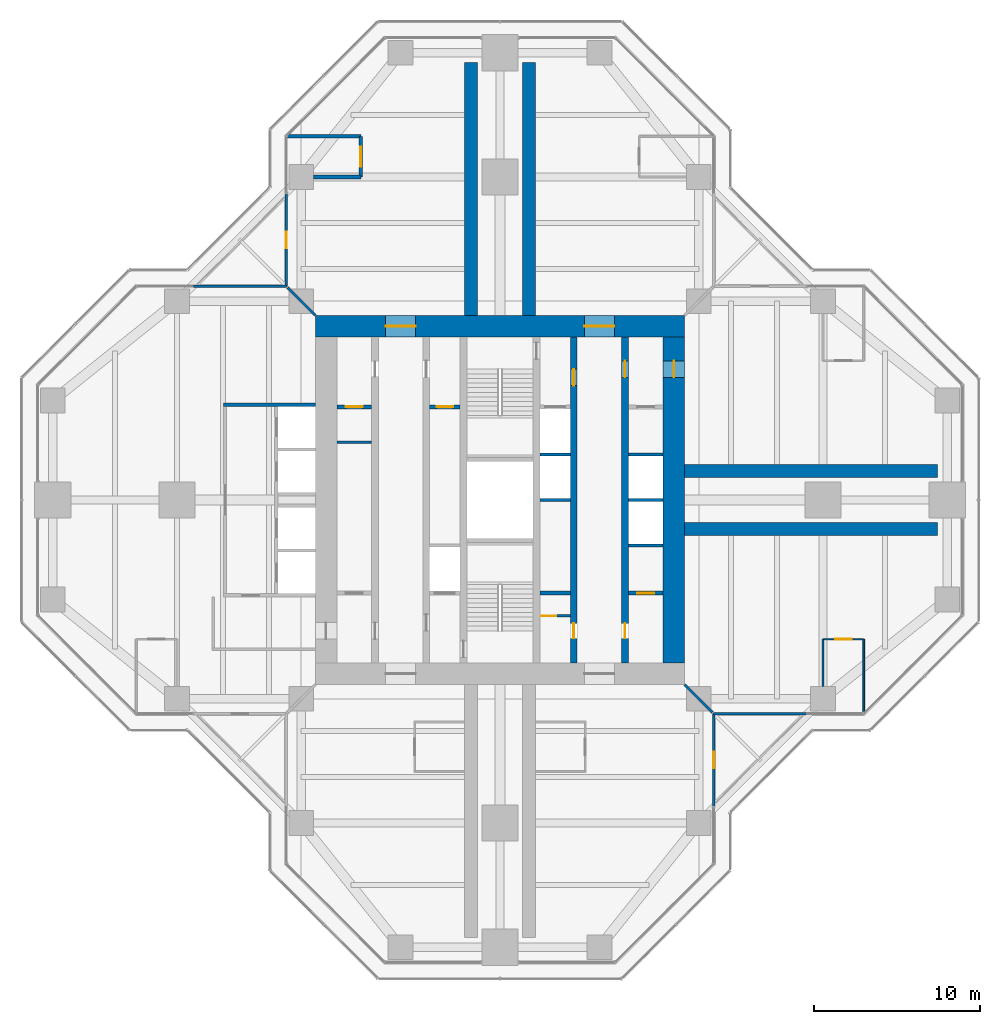
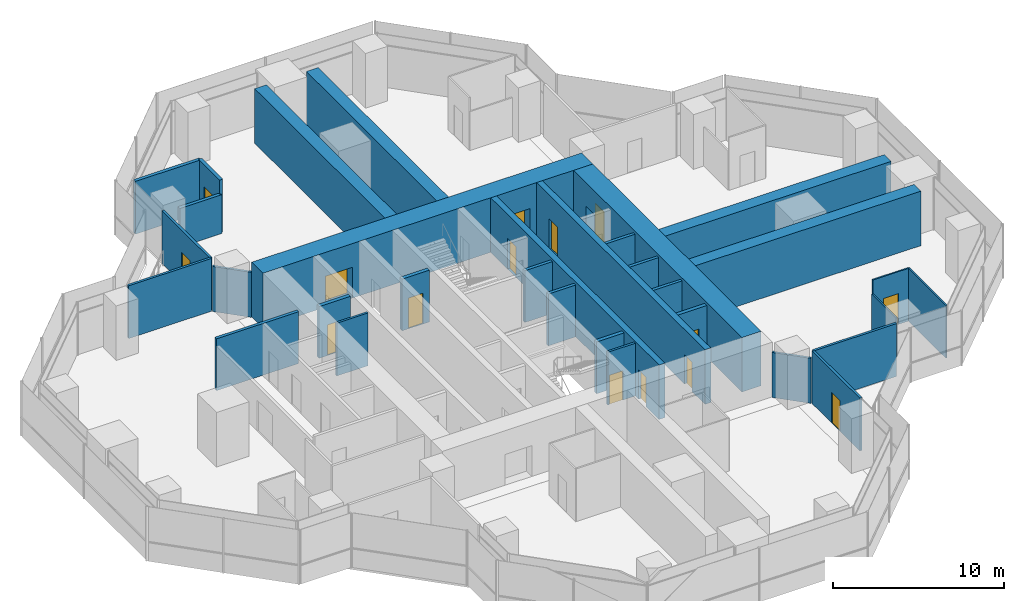
# One storey, part 14 of 17: 32 walls, 15 doors, 15 openings.
"""IFC4 building model written with IfcOpenShell, lengths in metres."""

from ifc_helpers import new_model, si_unit, direction, frame, frame_2d, origin, place, context, subcontext, project, spatial, rectangle, extrude, material, layer, layer_set, type_object, element, fill, save


model = new_model("IFC4")

# Units and contexts
model_context = context("Model", 3, precision=1e-05, world=origin(), true_north=direction((0.0, 1.0)))
body_context = subcontext(model_context, "Body", "Model", "MODEL_VIEW")
ifc_project = project(units=[si_unit("LENGTHUNIT", "METRE"), si_unit("AREAUNIT", "SQUARE_METRE"), si_unit("VOLUMEUNIT", "CUBIC_METRE"), si_unit("PLANEANGLEUNIT", "RADIAN"), si_unit("MASSUNIT", "GRAM", prefix="KILO")], contexts=[model_context])

# Site, building, storey
site_placement = place(None, origin())
site = spatial("IfcSite", under=ifc_project, at=site_placement, CompositionType="ELEMENT")
building_placement = place(site_placement, origin())
building = spatial("IfcBuilding", under=site, at=building_placement, Name="Mizan Broadcast Tower", CompositionType="ELEMENT")
storey_placement = place(building_placement, frame((0.0, 0.0, 255.60009765625)))
storey = spatial("IfcBuildingStorey", under=building, at=storey_placement, Name="L60", CompositionType="ELEMENT", Elevation=255.60009765625)

# Wall, openings, doors
ifc_material_1 = material(Name="Concrete C70/85", Category="concrete")
ifc_layer_1 = layer(ifc_material_1, 0.39990234375)
ifc_layer_set_1 = layer_set([ifc_layer_1], Name="Concrete C70/85")
wall_type_1 = type_object("IfcWallType", Name="CORE INTERNAL WALL 400", PredefinedType="SHEAR", material=ifc_layer_set_1)
wall_1_placement = place(storey_placement, frame((7.550048828125, 9.85009765625, 0.0), z_axis=(0.0, 0.0, 1.0), x_axis=(0.0, -1.0, 0.0)))
wall_1 = element("IfcWall", 1, at=wall_1_placement, inside=storey, type_object=wall_type_1, Name="Core wall CORE/XW1E", PredefinedType="SHEAR", context=body_context, shape_type="SweptSolid", body=[
    extrude(rectangle(XDim=19.7001953125, YDim=0.39990234375, at=frame_2d((9.85009765625, 0.0))), origin(), (0.0, 0.0, 1.0), 3.89990234375),
])
opening_1_placement = place(wall_1_placement, frame((1.449951171875, 0.0, 0.0)))
opening_1 = element("IfcOpeningElement", 2, at=opening_1_placement, cuts=wall_1, Name="Opening D10F", PredefinedType="OPENING", context=body_context, shape_type="SweptSolid", body=[
    extrude(rectangle(XDim=1.0, YDim=2.199951171875, at=frame_2d((0.5, 1.10009765625))), frame((0.0, 0.2099609375, 0.0), z_axis=(0.0, -1.0, 0.0), x_axis=(1.0, 0.0, 0.0)), (0.0, 0.0, 1.0), 0.419921875),
])
opening_2_placement = place(wall_1_placement, frame((17.300048828125, 0.0, 0.0)))
opening_2 = element("IfcOpeningElement", 3, at=opening_2_placement, cuts=wall_1, Name="Opening D09", PredefinedType="OPENING", context=body_context, shape_type="SweptSolid", body=[
    extrude(rectangle(XDim=0.89990234375, YDim=2.10009765625, at=frame_2d((0.449951171875, 1.050048828125))), frame((0.0, 0.2099609375, 0.0), z_axis=(0.0, -1.0, 0.0), x_axis=(1.0, 0.0, 0.0)), (0.0, 0.0, 1.0), 0.419921875),
])
ifc_material_2 = material(Name="Steel door leaf in steel frame", Category="steel")
door_type_1 = type_object("IfcDoorType", Name="FIRE DOOR 1000 FD90", OperationType="SINGLE_SWING_LEFT", PredefinedType="DOOR", material=ifc_material_2)
door_1_placement = place(opening_1_placement, origin())
door_1 = element("IfcDoor", 4, at=door_1_placement, inside=storey, type_object=door_type_1, Name="East core passage door", OperationType="SINGLE_SWING_LEFT", OverallHeight=2.199951171875, OverallWidth=1.0, PredefinedType="DOOR", context=body_context, shape_type="SweptSolid", body=[
    extrude(rectangle(XDim=1.0, YDim=2.199951171875, at=frame_2d((0.5, 1.10009765625))), frame((0.0, 0.02490234375, 0.0), z_axis=(0.0, -1.0, 0.0), x_axis=(1.0, 0.0, 0.0)), (0.0, 0.0, 1.0), 0.050048828125),
])
fill(opening_1, door_1)
ifc_material_3 = material(Name="Timber door leaf in aluminium frame", Category="wood")
door_type_2 = type_object("IfcDoorType", Name="TOILET DOOR 900", OperationType="SINGLE_SWING_LEFT", PredefinedType="DOOR", material=ifc_material_3)
door_2_placement = place(opening_2_placement, origin())
door_2 = element("IfcDoor", 5, at=door_2_placement, inside=storey, type_object=door_type_2, Name="Female WC door", OperationType="SINGLE_SWING_RIGHT", OverallHeight=2.10009765625, OverallWidth=0.89990234375, PredefinedType="DOOR", context=body_context, shape_type="SweptSolid", body=[
    extrude(rectangle(XDim=0.89990234375, YDim=2.10009765625, at=frame_2d((0.449951171875, 1.050048828125))), frame((0.0, 0.02490234375, 0.0), z_axis=(0.0, -1.0, 0.0), x_axis=(1.0, 0.0, 0.0)), (0.0, 0.0, 1.0), 0.050048828125),
])
fill(opening_2, door_2)

wall_2_placement = place(storey_placement, frame((4.449951171875, 9.85009765625, 0.0), z_axis=(0.0, 0.0, 1.0), x_axis=(0.0, -1.0, 0.0)))
wall_2 = element("IfcWall", 6, at=wall_2_placement, inside=storey, type_object=wall_type_1, Name="Core wall CORE/XWHE", PredefinedType="SHEAR", context=body_context, shape_type="SweptSolid", body=[
    extrude(rectangle(XDim=19.7001953125, YDim=0.39990234375, at=frame_2d((9.85009765625, 0.0))), origin(), (0.0, 0.0, 1.0), 3.89990234375),
])
opening_3_placement = place(wall_2_placement, frame((1.949951171875, 0.0, 0.0)))
opening_3 = element("IfcOpeningElement", 7, at=opening_3_placement, cuts=wall_2, Name="Opening D10F", PredefinedType="OPENING", context=body_context, shape_type="SweptSolid", body=[
    extrude(rectangle(XDim=1.0, YDim=2.199951171875, at=frame_2d((0.5, 1.10009765625))), frame((0.0, 0.2099609375, 0.0), z_axis=(0.0, -1.0, 0.0), x_axis=(1.0, 0.0, 0.0)), (0.0, 0.0, 1.0), 0.419921875),
])
opening_4_placement = place(wall_2_placement, frame((17.300048828125, 0.0, 0.0)))
opening_4 = element("IfcOpeningElement", 8, at=opening_4_placement, cuts=wall_2, Name="Opening D09", PredefinedType="OPENING", context=body_context, shape_type="SweptSolid", body=[
    extrude(rectangle(XDim=0.89990234375, YDim=2.10009765625, at=frame_2d((0.449951171875, 1.050048828125))), frame((0.0, 0.2099609375, 0.0), z_axis=(0.0, -1.0, 0.0), x_axis=(1.0, 0.0, 0.0)), (0.0, 0.0, 1.0), 0.419921875),
])
door_3_placement = place(opening_3_placement, origin())
door_3 = element("IfcDoor", 9, at=door_3_placement, inside=storey, type_object=door_type_1, Name="Firefighting lobby B door", OperationType="SINGLE_SWING_LEFT", OverallHeight=2.199951171875, OverallWidth=1.0, PredefinedType="DOOR", context=body_context, shape_type="SweptSolid", body=[
    extrude(rectangle(XDim=1.0, YDim=2.199951171875, at=frame_2d((0.5, 1.10009765625))), frame((0.0, 0.02490234375, 0.0), z_axis=(0.0, -1.0, 0.0), x_axis=(1.0, 0.0, 0.0)), (0.0, 0.0, 1.0), 0.050048828125),
])
fill(opening_3, door_3)
door_4_placement = place(opening_4_placement, origin())
door_4 = element("IfcDoor", 10, at=door_4_placement, inside=storey, type_object=door_type_2, Name="Cleaner's store door", OperationType="SINGLE_SWING_RIGHT", OverallHeight=2.10009765625, OverallWidth=0.89990234375, PredefinedType="DOOR", context=body_context, shape_type="SweptSolid", body=[
    extrude(rectangle(XDim=0.89990234375, YDim=2.10009765625, at=frame_2d((0.449951171875, 1.050048828125))), frame((0.0, 0.02490234375, 0.0), z_axis=(0.0, -1.0, 0.0), x_axis=(1.0, 0.0, 0.0)), (0.0, 0.0, 1.0), 0.050048828125),
])
fill(opening_4, door_4)

# Wall
ifc_material_4 = material(Name="Concrete blockwork", Category="masonry")
ifc_layer_2 = layer(ifc_material_4, 0.14990234375)
ifc_layer_set_2 = layer_set([ifc_layer_2], Name="Concrete blockwork")
wall_type_2 = type_object("IfcWallType", Name="CORE PARTITION 150", PredefinedType="SOLIDWALL", material=ifc_layer_set_2)
wall_3_placement = place(storey_placement, frame((-9.85009765625, 3.5, 0.0), z_axis=(0.0, 0.0, 1.0), x_axis=(1.0, 0.0, 0.0)))
element("IfcWall", 11, at=wall_3_placement, inside=storey, type_object=wall_type_2, Name="Core partition CORE/XP1", PredefinedType="SOLIDWALL", context=body_context, shape_type="SweptSolid", body=[
    extrude(rectangle(XDim=2.10009765625, YDim=0.14990234375, at=frame_2d((1.050048828125, 0.0))), origin(), (0.0, 0.0, 1.0), 3.77001953125),
])

# Wall, opening, door
wall_4_placement = place(storey_placement, frame((2.39990234375, -7.0, 0.0), z_axis=(0.0, 0.0, 1.0), x_axis=(1.0, 0.0, 0.0)))
wall_4 = element("IfcWall", 12, at=wall_4_placement, inside=storey, type_object=wall_type_2, Name="Core partition CORE/XPC", PredefinedType="SOLIDWALL", context=body_context, shape_type="SweptSolid", body=[
    extrude(rectangle(XDim=1.85009765625, YDim=0.14990234375, at=frame_2d((0.925048828125, 0.0))), origin(), (0.0, 0.0, 1.0), 3.77001953125),
])
opening_5_placement = place(wall_4_placement, frame((0.10009765625, 0.0, 0.0)))
opening_5 = element("IfcOpeningElement", 13, at=opening_5_placement, cuts=wall_4, Name="Opening D09F", PredefinedType="OPENING", context=body_context, shape_type="SweptSolid", body=[
    extrude(rectangle(XDim=0.89990234375, YDim=2.10009765625, at=frame_2d((0.449951171875, 1.050048828125))), frame((0.0, 0.0849609375, 0.0), z_axis=(0.0, -1.0, 0.0), x_axis=(1.0, 0.0, 0.0)), (0.0, 0.0, 1.0), 0.169921875),
])
ifc_material_5 = material(Name="Steel door leaf in steel frame", Category="steel")
door_type_3 = type_object("IfcDoorType", Name="CORE ROOM DOOR 900 FD90", OperationType="SINGLE_SWING_LEFT", PredefinedType="DOOR", material=ifc_material_5)
door_5_placement = place(opening_5_placement, origin())
door_5 = element("IfcDoor", 14, at=door_5_placement, inside=storey, type_object=door_type_3, Name="Waste store door", OperationType="SINGLE_SWING_LEFT", OverallHeight=2.10009765625, OverallWidth=0.89990234375, PredefinedType="DOOR", context=body_context, shape_type="SweptSolid", body=[
    extrude(rectangle(XDim=0.89990234375, YDim=2.10009765625, at=frame_2d((0.449951171875, 1.050048828125))), frame((0.0, 0.02490234375, 0.0), z_axis=(0.0, -1.0, 0.0), x_axis=(1.0, 0.0, 0.0)), (0.0, 0.0, 1.0), 0.050048828125),
])
fill(opening_5, door_5)

# Wall, openings, doors
ifc_material_6 = material(Name="Concrete C70/85", Category="concrete")
ifc_layer_3 = layer(ifc_material_6, 1.300048828125)
ifc_layer_set_3 = layer_set([ifc_layer_3], Name="Concrete C70/85")
wall_type_3 = type_object("IfcWallType", Name="CORE WALL 1300", PredefinedType="SHEAR", material=ifc_layer_set_3)
wall_5_placement = place(storey_placement, frame((-11.14990234375, 10.5, 0.0), z_axis=(0.0, 0.0, 1.0), x_axis=(1.0, 0.0, 0.0)))
wall_5 = element("IfcWall", 15, at=wall_5_placement, inside=storey, type_object=wall_type_3, Name="Core wall N L60", PredefinedType="SHEAR", context=body_context, shape_type="SweptSolid", body=[
    extrude(rectangle(XDim=22.2998046875, YDim=1.300048828125, at=frame_2d((11.14990234375, 0.0))), origin(), (0.0, 0.0, 1.0), 3.89990234375),
])
opening_6_placement = place(wall_5_placement, frame((4.25, 0.0, 0.0)))
opening_6 = element("IfcOpeningElement", 16, at=opening_6_placement, cuts=wall_5, Name="Opening D18F", PredefinedType="OPENING", context=body_context, shape_type="SweptSolid", body=[
    extrude(rectangle(XDim=1.800048828125, YDim=2.199951171875, at=frame_2d((0.89990234375, 1.10009765625))), frame((0.0, 0.659912109375, 0.0), z_axis=(0.0, -1.0, 0.0), x_axis=(1.0, 0.0, 0.0)), (0.0, 0.0, 1.0), 1.320068359375),
])
opening_7_placement = place(wall_5_placement, frame((16.25, 0.0, 0.0)))
opening_7 = element("IfcOpeningElement", 17, at=opening_7_placement, cuts=wall_5, Name="Opening D18F", PredefinedType="OPENING", context=body_context, shape_type="SweptSolid", body=[
    extrude(rectangle(XDim=1.800048828125, YDim=2.199951171875, at=frame_2d((0.89990234375, 1.10009765625))), frame((0.0, 0.659912109375, 0.0), z_axis=(0.0, -1.0, 0.0), x_axis=(1.0, 0.0, 0.0)), (0.0, 0.0, 1.0), 1.320068359375),
])
ifc_material_7 = material(Name="Steel door leaf in steel frame", Category="steel")
door_type_4 = type_object("IfcDoorType", Name="LOBBY DOUBLE DOOR 1800 FD90", OperationType="DOUBLE_DOOR_DOUBLE_SWING", PredefinedType="DOOR", material=ifc_material_7)
door_6_placement = place(opening_6_placement, origin())
door_6 = element("IfcDoor", 18, at=door_6_placement, inside=storey, type_object=door_type_4, Name="West lift lobby north door", OperationType="DOUBLE_DOOR_DOUBLE_SWING", OverallHeight=2.199951171875, OverallWidth=1.800048828125, PredefinedType="DOOR", context=body_context, shape_type="SweptSolid", body=[
    extrude(rectangle(XDim=1.800048828125, YDim=2.199951171875, at=frame_2d((0.89990234375, 1.10009765625))), frame((0.0, 0.02490234375, 0.0), z_axis=(0.0, -1.0, 0.0), x_axis=(1.0, 0.0, 0.0)), (0.0, 0.0, 1.0), 0.050048828125),
])
fill(opening_6, door_6)
door_7_placement = place(opening_7_placement, origin())
door_7 = element("IfcDoor", 19, at=door_7_placement, inside=storey, type_object=door_type_4, Name="East lift lobby north door", OperationType="DOUBLE_DOOR_DOUBLE_SWING", OverallHeight=2.199951171875, OverallWidth=1.800048828125, PredefinedType="DOOR", context=body_context, shape_type="SweptSolid", body=[
    extrude(rectangle(XDim=1.800048828125, YDim=2.199951171875, at=frame_2d((0.89990234375, 1.10009765625))), frame((0.0, 0.02490234375, 0.0), z_axis=(0.0, -1.0, 0.0), x_axis=(1.0, 0.0, 0.0)), (0.0, 0.0, 1.0), 0.050048828125),
])
fill(opening_7, door_7)

# Wall, opening, door
wall_6_placement = place(storey_placement, frame((10.5, -9.85009765625, 0.0), z_axis=(0.0, 0.0, 1.0), x_axis=(0.0, 1.0, 0.0)))
wall_6 = element("IfcWall", 20, at=wall_6_placement, inside=storey, type_object=wall_type_3, Name="Core wall E L60", PredefinedType="SHEAR", context=body_context, shape_type="SweptSolid", body=[
    extrude(rectangle(XDim=19.7001953125, YDim=1.300048828125, at=frame_2d((9.85009765625, 0.0))), origin(), (0.0, 0.0, 1.0), 3.89990234375),
])
opening_8_placement = place(wall_6_placement, frame((17.25, 0.0, 0.0)))
opening_8 = element("IfcOpeningElement", 21, at=opening_8_placement, cuts=wall_6, Name="Opening D10F", PredefinedType="OPENING", context=body_context, shape_type="SweptSolid", body=[
    extrude(rectangle(XDim=1.0, YDim=2.199951171875, at=frame_2d((0.5, 1.10009765625))), frame((0.0, 0.659912109375, 0.0), z_axis=(0.0, -1.0, 0.0), x_axis=(1.0, 0.0, 0.0)), (0.0, 0.0, 1.0), 1.320068359375),
])
door_8_placement = place(opening_8_placement, origin())
door_8 = element("IfcDoor", 22, at=door_8_placement, inside=storey, type_object=door_type_1, Name="East core passage arm door", OperationType="SINGLE_SWING_RIGHT", OverallHeight=2.199951171875, OverallWidth=1.0, PredefinedType="DOOR", context=body_context, shape_type="SweptSolid", body=[
    extrude(rectangle(XDim=1.0, YDim=2.199951171875, at=frame_2d((0.5, 1.10009765625))), frame((0.0, 0.02490234375, 0.0), z_axis=(0.0, -1.0, 0.0), x_axis=(1.0, 0.0, 0.0)), (0.0, 0.0, 1.0), 0.050048828125),
])
fill(opening_8, door_8)

# Wall
ifc_material_8 = material(Name="Aluminium framed glazed screen", Category="aluminium")
ifc_layer_4 = layer(ifc_material_8, 0.159912109375)
ifc_layer_set_4 = layer_set([ifc_layer_4], Name="Aluminium framed glazed screen")
wall_type_4 = type_object("IfcWallType", Name="GLAZED SCREEN WALL 160", PredefinedType="SOLIDWALL", material=ifc_layer_set_4)
wall_7_placement = place(storey_placement, frame((12.89990234375, -12.89990234375, 0.0), z_axis=(0.0, 0.0, 1.0), x_axis=(1.0, 0.0, 0.0)))
element("IfcWall", 23, at=wall_7_placement, inside=storey, type_object=wall_type_4, Name="Winter garden screen L60 E", PredefinedType="SOLIDWALL", context=body_context, shape_type="SweptSolid", body=[
    extrude(rectangle(XDim=5.60009765625, YDim=0.159912109375, at=frame_2d((2.800048828125, 0.0))), origin(), (0.0, 0.0, 1.0), 3.77001953125),
])

# Wall, opening, door
wall_8_placement = place(storey_placement, frame((-12.89990234375, 18.5, 0.0), z_axis=(0.0, 0.0, 1.0), x_axis=(0.0, -1.0, 0.0)))
wall_8 = element("IfcWall", 24, at=wall_8_placement, inside=storey, type_object=wall_type_4, Name="Winter garden screen L60 N", PredefinedType="SOLIDWALL", context=body_context, shape_type="SweptSolid", body=[
    extrude(rectangle(XDim=5.60009765625, YDim=0.159912109375, at=frame_2d((2.800048828125, 0.0))), origin(), (0.0, 0.0, 1.0), 3.77001953125),
])
opening_9_placement = place(wall_8_placement, frame((2.300048828125, 0.0, 0.0)))
opening_9 = element("IfcOpeningElement", 25, at=opening_9_placement, cuts=wall_8, Name="Opening WGD", PredefinedType="OPENING", context=body_context, shape_type="SweptSolid", body=[
    extrude(rectangle(XDim=1.0, YDim=2.199951171875, at=frame_2d((0.5, 1.10009765625))), frame((0.0, 0.08984375, 0.0), z_axis=(0.0, -1.0, 0.0), x_axis=(1.0, 0.0, 0.0)), (0.0, 0.0, 1.0), 0.179931640625),
])
ifc_material_9 = material(Name="Aluminium framed glazed door", Category="aluminium")
door_type_5 = type_object("IfcDoorType", Name="WINTER GARDEN DOOR 1000 GLAZED", OperationType="SINGLE_SWING_LEFT", PredefinedType="DOOR", material=ifc_material_9)
door_9_placement = place(opening_9_placement, origin())
door_9 = element("IfcDoor", 26, at=door_9_placement, inside=storey, type_object=door_type_5, Name="Winter garden door L60 N", OperationType="SINGLE_SWING_RIGHT", OverallHeight=2.199951171875, OverallWidth=1.0, PredefinedType="DOOR", context=body_context, shape_type="SweptSolid", body=[
    extrude(rectangle(XDim=1.0, YDim=2.199951171875, at=frame_2d((0.5, 1.10009765625))), frame((0.0, 0.02490234375, 0.0), z_axis=(0.0, -1.0, 0.0), x_axis=(1.0, 0.0, 0.0)), (0.0, 0.0, 1.0), 0.050048828125),
])
fill(opening_9, door_9)

# Wall
wall_9_placement = place(storey_placement, frame((-12.89990234375, 12.89990234375, 0.0), z_axis=(0.0, 0.0, 1.0), x_axis=(-1.0, 0.0, 0.0)))
element("IfcWall", 27, at=wall_9_placement, inside=storey, type_object=wall_type_4, Name="Winter garden screen L60 W", PredefinedType="SOLIDWALL", context=body_context, shape_type="SweptSolid", body=[
    extrude(rectangle(XDim=5.60009765625, YDim=0.159912109375, at=frame_2d((2.800048828125, 0.0))), origin(), (0.0, 0.0, 1.0), 3.77001953125),
])

# Wall, opening, door
wall_10_placement = place(storey_placement, frame((12.89990234375, -18.5, 0.0), z_axis=(0.0, 0.0, 1.0), x_axis=(0.0, 1.0, 0.0)))
wall_10 = element("IfcWall", 28, at=wall_10_placement, inside=storey, type_object=wall_type_4, Name="Winter garden screen L60 S", PredefinedType="SOLIDWALL", context=body_context, shape_type="SweptSolid", body=[
    extrude(rectangle(XDim=5.60009765625, YDim=0.159912109375, at=frame_2d((2.800048828125, 0.0))), origin(), (0.0, 0.0, 1.0), 3.77001953125),
])
opening_10_placement = place(wall_10_placement, frame((2.300048828125, 0.0, 0.0)))
opening_10 = element("IfcOpeningElement", 29, at=opening_10_placement, cuts=wall_10, Name="Opening WGD", PredefinedType="OPENING", context=body_context, shape_type="SweptSolid", body=[
    extrude(rectangle(XDim=1.0, YDim=2.199951171875, at=frame_2d((0.5, 1.10009765625))), frame((0.0, 0.08984375, 0.0), z_axis=(0.0, -1.0, 0.0), x_axis=(1.0, 0.0, 0.0)), (0.0, 0.0, 1.0), 0.179931640625),
])
door_10_placement = place(opening_10_placement, origin())
door_10 = element("IfcDoor", 30, at=door_10_placement, inside=storey, type_object=door_type_5, Name="Winter garden door L60 S", OperationType="SINGLE_SWING_RIGHT", OverallHeight=2.199951171875, OverallWidth=1.0, PredefinedType="DOOR", context=body_context, shape_type="SweptSolid", body=[
    extrude(rectangle(XDim=1.0, YDim=2.199951171875, at=frame_2d((0.5, 1.10009765625))), frame((0.0, 0.02490234375, 0.0), z_axis=(0.0, -1.0, 0.0), x_axis=(1.0, 0.0, 0.0)), (0.0, 0.0, 1.0), 0.050048828125),
])
fill(opening_10, door_10)

# Walls
ifc_material_10 = material(Name="Concrete blockwork", Category="masonry")
ifc_layer_5 = layer(ifc_material_10, 0.199951171875)
ifc_layer_set_5 = layer_set([ifc_layer_5], Name="Concrete blockwork")
wall_type_5 = type_object("IfcWallType", Name="LIFT SHAFT WALL 200", PredefinedType="SOLIDWALL", material=ifc_layer_set_5)
wall_11_placement = place(storey_placement, frame((7.75, -2.75, 0.0), z_axis=(0.0, 0.0, 1.0), x_axis=(1.0, 0.0, 0.0)))
element("IfcWall", 31, at=wall_11_placement, inside=storey, type_object=wall_type_5, Name="Lift shaft wall CORE/SE1-1", PredefinedType="SOLIDWALL", context=body_context, shape_type="SweptSolid", body=[
    extrude(rectangle(XDim=2.10009765625, YDim=0.199951171875, at=frame_2d((1.050048828125, 0.0))), origin(), (0.0, 0.0, 1.0), 3.699951171875),
])
wall_12_placement = place(storey_placement, frame((2.39990234375, 0.0, 0.0), z_axis=(0.0, 0.0, 1.0), x_axis=(1.0, 0.0, 0.0)))
element("IfcWall", 32, at=wall_12_placement, inside=storey, type_object=wall_type_5, Name="Lift shaft wall CORE/SE2-2", PredefinedType="SOLIDWALL", context=body_context, shape_type="SweptSolid", body=[
    extrude(rectangle(XDim=1.85009765625, YDim=0.199951171875, at=frame_2d((0.925048828125, 0.0))), origin(), (0.0, 0.0, 1.0), 3.699951171875),
])
wall_13_placement = place(storey_placement, frame((7.75, 0.0, 0.0), z_axis=(0.0, 0.0, 1.0), x_axis=(1.0, 0.0, 0.0)))
element("IfcWall", 33, at=wall_13_placement, inside=storey, type_object=wall_type_5, Name="Lift shaft wall CORE/SE1-2", PredefinedType="SOLIDWALL", context=body_context, shape_type="SweptSolid", body=[
    extrude(rectangle(XDim=2.10009765625, YDim=0.199951171875, at=frame_2d((1.050048828125, 0.0))), origin(), (0.0, 0.0, 1.0), 3.699951171875),
])
wall_14_placement = place(storey_placement, frame((2.39990234375, 2.75, 0.0), z_axis=(0.0, 0.0, 1.0), x_axis=(1.0, 0.0, 0.0)))
element("IfcWall", 34, at=wall_14_placement, inside=storey, type_object=wall_type_5, Name="Lift shaft wall CORE/SE2-3", PredefinedType="SOLIDWALL", context=body_context, shape_type="SweptSolid", body=[
    extrude(rectangle(XDim=1.85009765625, YDim=0.199951171875, at=frame_2d((0.925048828125, 0.0))), origin(), (0.0, 0.0, 1.0), 3.699951171875),
])
wall_15_placement = place(storey_placement, frame((7.75, 2.75, 0.0), z_axis=(0.0, 0.0, 1.0), x_axis=(1.0, 0.0, 0.0)))
element("IfcWall", 35, at=wall_15_placement, inside=storey, type_object=wall_type_5, Name="Lift shaft wall CORE/SE1-3", PredefinedType="SOLIDWALL", context=body_context, shape_type="SweptSolid", body=[
    extrude(rectangle(XDim=2.10009765625, YDim=0.199951171875, at=frame_2d((1.050048828125, 0.0))), origin(), (0.0, 0.0, 1.0), 3.699951171875),
])
wall_16_placement = place(storey_placement, frame((-11.14990234375, 5.75, 0.0), z_axis=(0.0, 0.0, 1.0), x_axis=(-1.0, 0.0, 0.0)))
element("IfcWall", 36, at=wall_16_placement, inside=storey, type_object=wall_type_5, Name="Lift shaft wall LC/S1", PredefinedType="SOLIDWALL", context=body_context, shape_type="SweptSolid", body=[
    extrude(rectangle(XDim=5.550048828125, YDim=0.199951171875, at=frame_2d((2.77490234375, 0.0))), origin(), (0.0, 0.0, 1.0), 3.699951171875),
])

# Wall, opening, door
ifc_material_11 = material(Name="Concrete blockwork", Category="masonry")
ifc_layer_6 = layer(ifc_material_11, 0.25)
ifc_layer_set_6 = layer_set([ifc_layer_6], Name="Concrete blockwork")
wall_type_6 = type_object("IfcWallType", Name="LOBBY ENCLOSURE WALL 250", PredefinedType="SOLIDWALL", material=ifc_layer_set_6)
wall_17_placement = place(storey_placement, frame((-9.85009765625, 5.625, 0.0), z_axis=(0.0, 0.0, 1.0), x_axis=(1.0, 0.0, 0.0)))
wall_17 = element("IfcWall", 37, at=wall_17_placement, inside=storey, type_object=wall_type_6, Name="Lobby enclosure wall CORE/BW1N", PredefinedType="SOLIDWALL", context=body_context, shape_type="SweptSolid", body=[
    extrude(rectangle(XDim=2.10009765625, YDim=0.25, at=frame_2d((1.050048828125, 0.0))), origin(), (0.0, 0.0, 1.0), 3.699951171875),
])
opening_11_placement = place(wall_17_placement, frame((0.550048828125, 0.0, 0.0)))
opening_11 = element("IfcOpeningElement", 38, at=opening_11_placement, cuts=wall_17, Name="Opening D10F", PredefinedType="OPENING", context=body_context, shape_type="SweptSolid", body=[
    extrude(rectangle(XDim=1.0, YDim=2.199951171875, at=frame_2d((0.5, 1.10009765625))), frame((0.0, 0.135009765625, 0.0), z_axis=(0.0, -1.0, 0.0), x_axis=(1.0, 0.0, 0.0)), (0.0, 0.0, 1.0), 0.27001953125),
])
door_11_placement = place(opening_11_placement, origin())
door_11 = element("IfcDoor", 39, at=door_11_placement, inside=storey, type_object=door_type_1, Name="Male staff shower room door", OperationType="SINGLE_SWING_RIGHT", OverallHeight=2.199951171875, OverallWidth=1.0, PredefinedType="DOOR", context=body_context, shape_type="SweptSolid", body=[
    extrude(rectangle(XDim=1.0, YDim=2.199951171875, at=frame_2d((0.5, 1.10009765625))), frame((0.0, 0.02490234375, 0.0), z_axis=(0.0, -1.0, 0.0), x_axis=(1.0, 0.0, 0.0)), (0.0, 0.0, 1.0), 0.050048828125),
])
fill(opening_11, door_11)

wall_18_placement = place(storey_placement, frame((-4.25, 5.625, 0.0), z_axis=(0.0, 0.0, 1.0), x_axis=(1.0, 0.0, 0.0)))
wall_18 = element("IfcWall", 40, at=wall_18_placement, inside=storey, type_object=wall_type_6, Name="Lobby enclosure wall CORE/BW2N", PredefinedType="SOLIDWALL", context=body_context, shape_type="SweptSolid", body=[
    extrude(rectangle(XDim=1.85009765625, YDim=0.25, at=frame_2d((0.925048828125, 0.0))), origin(), (0.0, 0.0, 1.0), 3.699951171875),
])
opening_12_placement = place(wall_18_placement, frame((0.425048828125, 0.0, 0.0)))
opening_12 = element("IfcOpeningElement", 41, at=opening_12_placement, cuts=wall_18, Name="Opening D10F", PredefinedType="OPENING", context=body_context, shape_type="SweptSolid", body=[
    extrude(rectangle(XDim=1.0, YDim=2.199951171875, at=frame_2d((0.5, 1.10009765625))), frame((0.0, 0.135009765625, 0.0), z_axis=(0.0, -1.0, 0.0), x_axis=(1.0, 0.0, 0.0)), (0.0, 0.0, 1.0), 0.27001953125),
])
door_12_placement = place(opening_12_placement, origin())
door_12 = element("IfcDoor", 42, at=door_12_placement, inside=storey, type_object=door_type_1, Name="Accessible shower room door", OperationType="SINGLE_SWING_RIGHT", OverallHeight=2.199951171875, OverallWidth=1.0, PredefinedType="DOOR", context=body_context, shape_type="SweptSolid", body=[
    extrude(rectangle(XDim=1.0, YDim=2.199951171875, at=frame_2d((0.5, 1.10009765625))), frame((0.0, 0.02490234375, 0.0), z_axis=(0.0, -1.0, 0.0), x_axis=(1.0, 0.0, 0.0)), (0.0, 0.0, 1.0), 0.050048828125),
])
fill(opening_12, door_12)

# Wall
wall_19_placement = place(storey_placement, frame((2.39990234375, -5.625, 0.0), z_axis=(0.0, 0.0, 1.0), x_axis=(1.0, 0.0, 0.0)))
element("IfcWall", 43, at=wall_19_placement, inside=storey, type_object=wall_type_6, Name="Lobby enclosure wall CORE/BE2S", PredefinedType="SOLIDWALL", context=body_context, shape_type="SweptSolid", body=[
    extrude(rectangle(XDim=1.85009765625, YDim=0.25, at=frame_2d((0.925048828125, 0.0))), origin(), (0.0, 0.0, 1.0), 3.699951171875),
])

# Wall, opening, door
wall_20_placement = place(storey_placement, frame((7.75, -5.625, 0.0), z_axis=(0.0, 0.0, 1.0), x_axis=(1.0, 0.0, 0.0)))
wall_20 = element("IfcWall", 44, at=wall_20_placement, inside=storey, type_object=wall_type_6, Name="Lobby enclosure wall CORE/BE1S", PredefinedType="SOLIDWALL", context=body_context, shape_type="SweptSolid", body=[
    extrude(rectangle(XDim=2.10009765625, YDim=0.25, at=frame_2d((1.050048828125, 0.0))), origin(), (0.0, 0.0, 1.0), 3.699951171875),
])
opening_13_placement = place(wall_20_placement, frame((0.550048828125, 0.0, 0.0)))
opening_13 = element("IfcOpeningElement", 45, at=opening_13_placement, cuts=wall_20, Name="Opening D10F", PredefinedType="OPENING", context=body_context, shape_type="SweptSolid", body=[
    extrude(rectangle(XDim=1.0, YDim=2.199951171875, at=frame_2d((0.5, 1.10009765625))), frame((0.0, 0.135009765625, 0.0), z_axis=(0.0, -1.0, 0.0), x_axis=(1.0, 0.0, 0.0)), (0.0, 0.0, 1.0), 0.27001953125),
])
door_13_placement = place(opening_13_placement, origin())
door_13 = element("IfcDoor", 46, at=door_13_placement, inside=storey, type_object=door_type_1, Name="Female staff shower room door", OperationType="SINGLE_SWING_LEFT", OverallHeight=2.199951171875, OverallWidth=1.0, PredefinedType="DOOR", context=body_context, shape_type="SweptSolid", body=[
    extrude(rectangle(XDim=1.0, YDim=2.199951171875, at=frame_2d((0.5, 1.10009765625))), frame((0.0, 0.02490234375, 0.0), z_axis=(0.0, -1.0, 0.0), x_axis=(1.0, 0.0, 0.0)), (0.0, 0.0, 1.0), 0.050048828125),
])
fill(opening_13, door_13)

# Walls
ifc_material_12 = material(Name="Gypsum board on steel studs", Category="steel")
ifc_layer_7 = layer(ifc_material_12, 0.14990234375)
ifc_layer_set_7 = layer_set([ifc_layer_7], Name="Gypsum board on steel studs")
wall_type_7 = type_object("IfcWallType", Name="PARTITION 150", PredefinedType="PARTITIONING", material=ifc_layer_set_7)
for number, where, z_axis, x_axis, name in (
    (47, (-11.14990234375, 11.14990234375, 0.0), (0.0, 0.0, 1.0), (-0.707106781187, 0.707106781187, 0.0), "Partition PT/DGWN"),
    (48, (11.14990234375, -11.14990234375, 0.0), (0.0, 0.0, 1.0), (0.707106781187, -0.707106781187, 0.0), "Partition PT/DGES"),
):
    element("IfcWall", number, at=place(storey_placement, frame(where, z_axis=z_axis, x_axis=x_axis)), inside=storey, type_object=wall_type_7, Name=name, PredefinedType="PARTITIONING", context=body_context, shape_type="SweptSolid", body=[
        extrude(rectangle(XDim=2.362060546875, YDim=0.14990234375, at=frame_2d((1.18115234375, 0.0))), origin(), (0.0, 0.0, 1.0), 3.219970703125),
    ])

# Wall, opening, door
ifc_material_13 = material(Name="Twin steel stud acoustic partition, four layers of gypsum board", Category="steel")
ifc_layer_8 = layer(ifc_material_13, 0.22509765625)
ifc_layer_set_8 = layer_set([ifc_layer_8], Name="Twin steel stud acoustic partition, four layers of gypsum board")
wall_type_8 = type_object("IfcWallType", Name="PARTITION ACOUSTIC 225", PredefinedType="PARTITIONING", material=ifc_layer_set_8)
wall_21_placement = place(storey_placement, frame((-8.39990234375, 19.5, 0.0), z_axis=(0.0, 0.0, 1.0), x_axis=(0.0, 1.0, 0.0)))
wall_21 = element("IfcWall", 49, at=wall_21_placement, inside=storey, type_object=wall_type_8, Name="Acoustic partition PT/NCP0", PredefinedType="PARTITIONING", context=body_context, shape_type="SweptSolid", body=[
    extrude(rectangle(XDim=2.458984375, YDim=0.22509765625, at=frame_2d((1.2294921875, 0.0))), origin(), (0.0, 0.0, 1.0), 3.77001953125),
])
opening_14_placement = place(wall_21_placement, frame((0.62939453125, 0.0, 0.0)))
opening_14 = element("IfcOpeningElement", 50, at=opening_14_placement, cuts=wall_21, Name="Opening D12A", PredefinedType="OPENING", context=body_context, shape_type="SweptSolid", body=[
    extrude(rectangle(XDim=1.199951171875, YDim=2.199951171875, at=frame_2d((0.60009765625, 1.10009765625))), frame((0.0, 0.12255859375, 0.0), z_axis=(0.0, -1.0, 0.0), x_axis=(1.0, 0.0, 0.0)), (0.0, 0.0, 1.0), 0.2451171875),
])
ifc_material_14 = material(Name="Timber door leaf in aluminium frame", Category="wood")
door_type_6 = type_object("IfcDoorType", Name="ACOUSTIC DOOR 1200", OperationType="SINGLE_SWING_LEFT", PredefinedType="DOOR", material=ifc_material_14)
door_14_placement = place(opening_14_placement, origin())
door_14 = element("IfcDoor", 51, at=door_14_placement, inside=storey, type_object=door_type_6, Name="Edit suite door", OperationType="SINGLE_SWING_LEFT", OverallHeight=2.199951171875, OverallWidth=1.199951171875, PredefinedType="DOOR", context=body_context, shape_type="SweptSolid", body=[
    extrude(rectangle(XDim=1.199951171875, YDim=2.199951171875, at=frame_2d((0.60009765625, 1.10009765625))), frame((0.0, 0.02490234375, 0.0), z_axis=(0.0, -1.0, 0.0), x_axis=(1.0, 0.0, 0.0)), (0.0, 0.0, 1.0), 0.050048828125),
])
fill(opening_14, door_14)

# Walls
wall_22_placement = place(storey_placement, frame((-8.39990234375, 19.5, 0.0), z_axis=(0.0, 0.0, 1.0), x_axis=(-1.0, 0.0, 0.0)))
element("IfcWall", 52, at=wall_22_placement, inside=storey, type_object=wall_type_8, Name="Acoustic partition PT/NQP1950", PredefinedType="PARTITIONING", context=body_context, shape_type="SweptSolid", body=[
    extrude(rectangle(XDim=2.85009765625, YDim=0.22509765625, at=frame_2d((1.425048828125, 0.0))), origin(), (0.0, 0.0, 1.0), 2.77001953125),
])
wall_23_placement = place(storey_placement, frame((-8.39990234375, 21.958984375, 0.0), z_axis=(0.0, 0.0, 1.0), x_axis=(-1.0, 0.0, 0.0)))
element("IfcWall", 53, at=wall_23_placement, inside=storey, type_object=wall_type_8, Name="Acoustic partition PT/NQP2196", PredefinedType="PARTITIONING", context=body_context, shape_type="SweptSolid", body=[
    extrude(rectangle(XDim=4.420166015625, YDim=0.22509765625, at=frame_2d((2.2099609375, 0.0))), origin(), (0.0, 0.0, 1.0), 3.77001953125),
])

# Wall, opening, door
ifc_material_15 = material(Name="Glazed aluminium partition on aluminium track", Category="aluminium")
ifc_layer_9 = layer(ifc_material_15, 0.10009765625)
ifc_layer_set_9 = layer_set([ifc_layer_9], Name="Glazed aluminium partition on aluminium track")
wall_type_9 = type_object("IfcWallType", Name="PARTITION GLAZED OFFICE FRONT 100", PredefinedType="PARTITIONING", material=ifc_layer_set_9)
wall_24_placement = place(storey_placement, frame((19.5, -8.39990234375, 0.0), z_axis=(0.0, 0.0, 1.0), x_axis=(1.0, 0.0, 0.0)))
wall_24 = element("IfcWall", 54, at=wall_24_placement, inside=storey, type_object=wall_type_9, Name="Glazed office front PT/ECN0", PredefinedType="PARTITIONING", context=body_context, shape_type="SweptSolid", body=[
    extrude(rectangle(XDim=2.458984375, YDim=0.10009765625, at=frame_2d((1.2294921875, 0.0))), origin(), (0.0, 0.0, 1.0), 3.77001953125),
])
opening_15_placement = place(wall_24_placement, frame((0.7294921875, 0.0, 0.0)))
opening_15 = element("IfcOpeningElement", 55, at=opening_15_placement, cuts=wall_24, Name="Opening D10O", PredefinedType="OPENING", context=body_context, shape_type="SweptSolid", body=[
    extrude(rectangle(XDim=1.0, YDim=2.199951171875, at=frame_2d((0.5, 1.10009765625))), frame((0.0, 0.06005859375, 0.0), z_axis=(0.0, -1.0, 0.0), x_axis=(1.0, 0.0, 0.0)), (0.0, 0.0, 1.0), 0.1201171875),
])
ifc_material_16 = material(Name="Timber door leaf in aluminium frame", Category="wood")
door_type_7 = type_object("IfcDoorType", Name="OFFICE DOOR 1000 GLAZED", OperationType="SINGLE_SWING_LEFT", PredefinedType="DOOR", material=ifc_material_16)
door_15_placement = place(opening_15_placement, origin())
door_15 = element("IfcDoor", 56, at=door_15_placement, inside=storey, type_object=door_type_7, Name="Script office door", OperationType="SINGLE_SWING_LEFT", OverallHeight=2.199951171875, OverallWidth=1.0, PredefinedType="DOOR", context=body_context, shape_type="SweptSolid", body=[
    extrude(rectangle(XDim=1.0, YDim=2.199951171875, at=frame_2d((0.5, 1.10009765625))), frame((0.0, 0.02490234375, 0.0), z_axis=(0.0, -1.0, 0.0), x_axis=(1.0, 0.0, 0.0)), (0.0, 0.0, 1.0), 0.050048828125),
])
fill(opening_15, door_15)

# Walls
wall_25_placement = place(storey_placement, frame((19.5, -8.39990234375, 0.0), z_axis=(0.0, 0.0, 1.0), x_axis=(0.0, -1.0, 0.0)))
element("IfcWall", 57, at=wall_25_placement, inside=storey, type_object=wall_type_9, Name="Glazed office front PT/EQN1950", PredefinedType="PARTITIONING", context=body_context, shape_type="SweptSolid", body=[
    extrude(rectangle(XDim=2.85009765625, YDim=0.10009765625, at=frame_2d((1.425048828125, 0.0))), origin(), (0.0, 0.0, 1.0), 2.77001953125),
])
wall_26_placement = place(storey_placement, frame((21.958984375, -8.39990234375, 0.0), z_axis=(0.0, 0.0, 1.0), x_axis=(0.0, -1.0, 0.0)))
element("IfcWall", 58, at=wall_26_placement, inside=storey, type_object=wall_type_9, Name="Glazed office front PT/EQN2196", PredefinedType="PARTITIONING", context=body_context, shape_type="SweptSolid", body=[
    extrude(rectangle(XDim=4.420166015625, YDim=0.10009765625, at=frame_2d((2.2099609375, 0.0))), origin(), (0.0, 0.0, 1.0), 3.77001953125),
])
ifc_material_17 = material(Name="Concrete C70/85", Category="concrete")
ifc_layer_10 = layer(ifc_material_17, 0.800048828125)
ifc_layer_set_10 = layer_set([ifc_layer_10], Name="Concrete C70/85")
wall_type_10 = type_object("IfcWallType", Name="SPINE WALL 800", PredefinedType="SHEAR", material=ifc_layer_set_10)
for number, where, z_axis, x_axis, name in (
    (59, (11.14990234375, -1.75, 0.0), (0.0, 0.0, 1.0), (1.0, 0.0, 0.0), "Spine wall ER L60"),
    (60, (11.14990234375, 1.75, 0.0), (0.0, 0.0, 1.0), (1.0, 0.0, 0.0), "Spine wall EL L60"),
    (61, (1.75, 11.14990234375, 0.0), (0.0, 0.0, 1.0), (0.0, 1.0, 0.0), "Spine wall NR L60"),
    (62, (-1.75, 11.14990234375, 0.0), (0.0, 0.0, 1.0), (0.0, 1.0, 0.0), "Spine wall NL L60"),
):
    element("IfcWall", number, at=place(storey_placement, frame(where, z_axis=z_axis, x_axis=x_axis)), inside=storey, type_object=wall_type_10, Name=name, PredefinedType="SHEAR", context=body_context, shape_type="SweptSolid", body=[
        extrude(rectangle(XDim=15.25, YDim=0.800048828125, at=frame_2d((7.625, 0.0))), origin(), (0.0, 0.0, 1.0), 3.89990234375),
    ])

save(model, "model.ifc")
